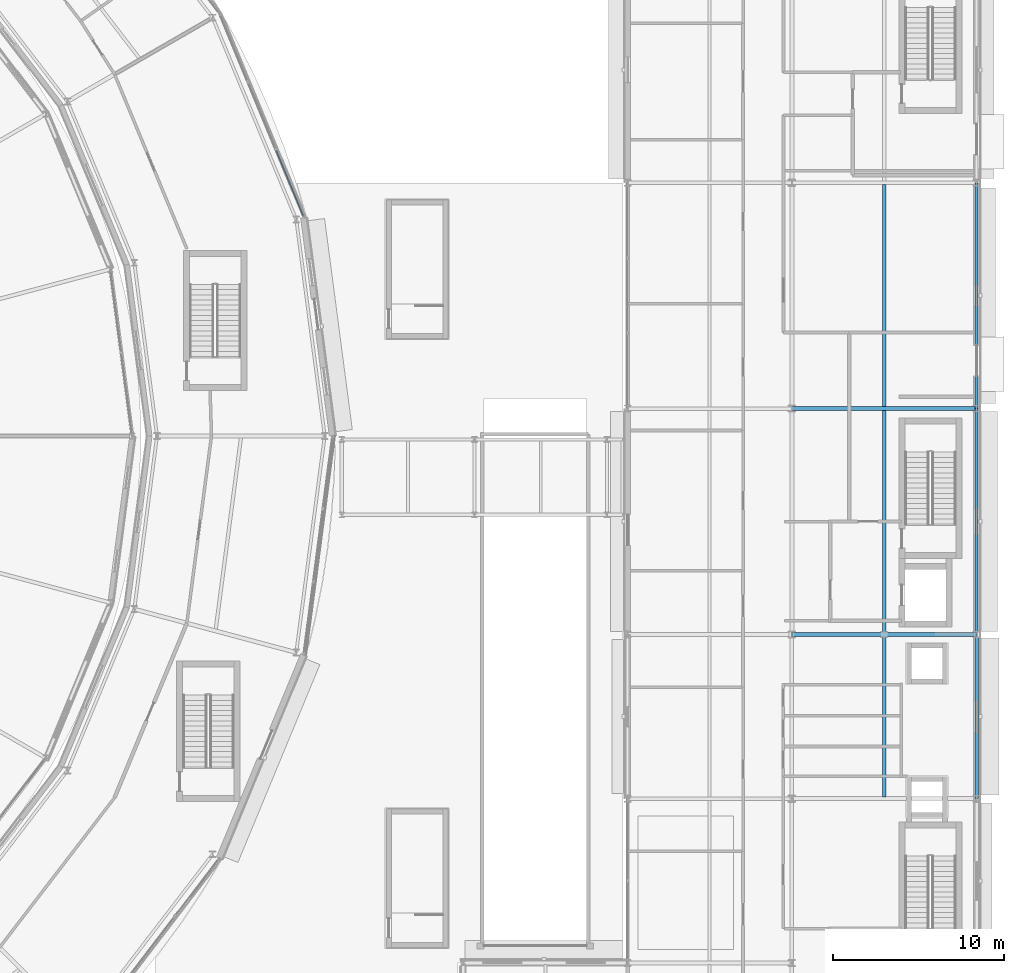
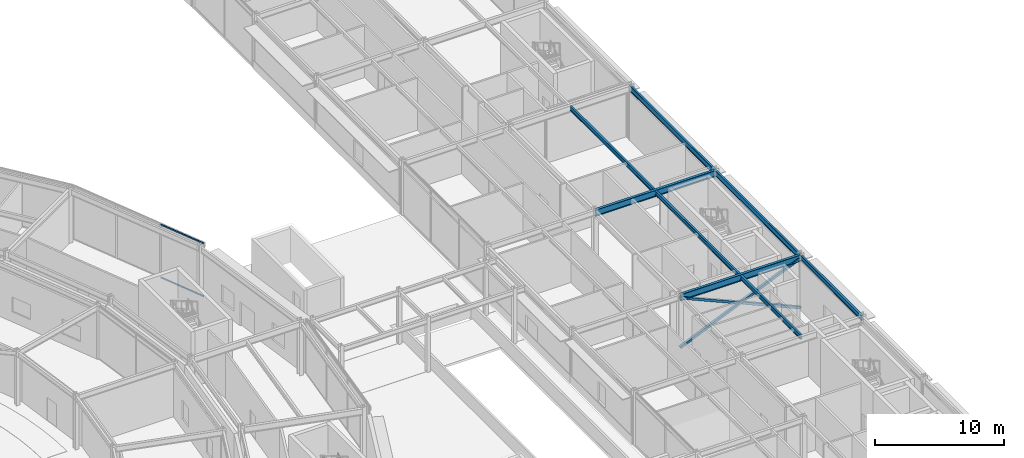
# One storey, part 103 of 168: 8 beams, 5 members, 1 element without a shape of its own.
"""IFC4 building model written with IfcOpenShell, lengths in metres."""

import ifcopenshell
import ifcopenshell.guid

model = None  # the IFC model being written
_history = None  # IfcOwnerHistory: only IFC2X3 demands one
_inside = {}  # id of a spatial element -> (the spatial element, [elements in it])
_under = {}  # id of a project, library or spatial element -> (it, [spatial elements below it])
_declared = {}  # id of a project -> (the project, [libraries it declares])
_typed = {}  # id of a type object -> (the type object, [elements of that type])
_made_of = {}  # id of a material, layer set ... -> (it, [elements and type objects made of it])


def new_model(schema):
    """Start an empty IFC model of exactly this schema.

    Asked for "IFC4X3", IfcOpenShell would pick the latest addendum, in which some entities
    have other attributes; the version numbers below select the first issue.
    IFC2X3 requires an IfcOwnerHistory on every rooted entity: one is made here for all.
    """
    global model, _history
    if schema == "IFC4X3":
        model = ifcopenshell.file(schema_version=(4, 3, 0, 0))
    else:
        model = ifcopenshell.file(schema=schema)
    _inside.clear()
    _under.clear()
    _declared.clear()
    _typed.clear()
    _made_of.clear()
    _history = None
    if model.schema == "IFC2X3":
        org = make("IfcOrganization", Name="unknown")
        user = make(
            "IfcPersonAndOrganization",
            ThePerson=make("IfcPerson", FamilyName="unknown"),
            TheOrganization=org,
        )
        app = make(
            "IfcApplication",
            ApplicationDeveloper=org,
            Version="unknown",
            ApplicationFullName="unknown",
            ApplicationIdentifier="unknown",
        )
        _history = make(
            "IfcOwnerHistory",
            OwningUser=user,
            OwningApplication=app,
            ChangeAction="ADDED",
            CreationDate=0,
        )
    return model


def make(cls, **values):
    """One entity of the class cls with the attributes given. An attribute that is None is left unset."""
    return model.create_entity(
        cls, **{name: value for name, value in values.items() if value is not None}
    )


def rooted(cls, **values):
    """An entity with a GlobalId (a new one), such as an element, a storey or a relation."""
    return make(cls, GlobalId=ifcopenshell.guid.new(), OwnerHistory=_history, **values)


def si_unit(unit_type, name, prefix=None):
    """IfcSIUnit, for example si_unit("LENGTHUNIT", "METRE", prefix="MILLI")."""
    return make("IfcSIUnit", UnitType=unit_type, Prefix=prefix, Name=name)


def assignment(units):
    """IfcUnitAssignment: the units of a project."""
    return None if units is None else make("IfcUnitAssignment", Units=units)


def point(xyz):
    """IfcCartesianPoint."""
    return None if xyz is None else make("IfcCartesianPoint", Coordinates=xyz)


def direction(xyz):
    """IfcDirection."""
    return None if xyz is None else make("IfcDirection", DirectionRatios=xyz)


def frame(location, z_axis=None, x_axis=None):
    """IfcAxis2Placement3D, a coordinate frame: its origin and axes. An axis left out is left unset."""
    return make(
        "IfcAxis2Placement3D",
        Location=point(location),
        Axis=direction(z_axis),
        RefDirection=direction(x_axis),
    )


def frame_2d(location, x_axis=None):
    """IfcAxis2Placement2D, a coordinate frame in the plane: its origin and x axis."""
    return make(
        "IfcAxis2Placement2D", Location=point(location), RefDirection=direction(x_axis)
    )


def origin():
    """The frame at (0, 0, 0) with its axes left unset."""
    return frame((0.0, 0.0, 0.0))


def origin_2d():
    """The frame at (0, 0) in the plane with its x axis left unset."""
    return frame_2d((0.0, 0.0))


def place(relative_to, where):
    """IfcLocalPlacement: puts the frame where relative to a parent placement (None: the world)."""
    return make(
        "IfcLocalPlacement", PlacementRelTo=relative_to, RelativePlacement=where
    )


def context(
    kind, dimensions, precision=None, world=None, true_north=None, identifier=None
):
    """IfcGeometricRepresentationContext, for example the 3D "Model" context."""
    return make(
        "IfcGeometricRepresentationContext",
        ContextIdentifier=identifier,
        ContextType=kind,
        CoordinateSpaceDimension=dimensions,
        Precision=precision,
        WorldCoordinateSystem=world,
        TrueNorth=true_north,
    )


def subcontext(parent, identifier, kind, view, scale=None):
    """IfcGeometricRepresentationSubContext, for example "Body" below "Model"."""
    return make(
        "IfcGeometricRepresentationSubContext",
        ContextIdentifier=identifier,
        ContextType=kind,
        ParentContext=parent,
        TargetScale=scale,
        TargetView=view,
    )


def project(units=None, contexts=None):
    """IfcProject with its units and contexts."""
    return rooted(
        "IfcProject",
        Name="project",
        RepresentationContexts=contexts,
        UnitsInContext=assignment(units),
    )


def spatial(cls, under=None, at=None, **own):
    """A site, building, storey or space (cls), placed at a placement, below another one or the project."""
    s = rooted(cls, ObjectPlacement=at, **own)
    if under is not None:
        _under.setdefault(under.id(), (under, []))[1].append(s)
    return s


def profile(cls, at=None, kind="AREA", **sizes):
    """A parametric profile (cls). Its sizes go by their IFC names, for example OverallWidth=200.0."""
    return make(cls, ProfileType=kind, Position=at, **sizes)


def hollow_rectangle(**sizes):
    """IfcRectangleHollowProfileDef."""
    return profile("IfcRectangleHollowProfileDef", **sizes)


def i_section(**sizes):
    """IfcIShapeProfileDef."""
    return profile("IfcIShapeProfileDef", **sizes)


def extrude(swept, where, along, depth):
    """IfcExtrudedAreaSolid: the profile swept, set in the frame where, extruded along a direction by depth."""
    return make(
        "IfcExtrudedAreaSolid",
        SweptArea=swept,
        Position=where,
        ExtrudedDirection=direction(along),
        Depth=depth,
    )


def shape(context_of_items, identifier, shape_type, items):
    """IfcShapeRepresentation: the items that make up one representation, for example the "Body"."""
    return make(
        "IfcShapeRepresentation",
        ContextOfItems=context_of_items,
        RepresentationIdentifier=identifier,
        RepresentationType=shape_type,
        Items=items,
    )


def material(Name=None, Category=None):
    """IfcMaterial."""
    return make("IfcMaterial", Name=Name, Category=Category)


def material_profile(
    of_material, cross_section, Name=None, Category=None, Priority=None
):
    """IfcMaterialProfile: a cross section and its material."""
    return make(
        "IfcMaterialProfile",
        Name=Name,
        Material=of_material,
        Profile=cross_section,
        Priority=Priority,
        Category=Category,
    )


def profile_set(profiles, Name=None, composite=None):
    """IfcMaterialProfileSet."""
    return make(
        "IfcMaterialProfileSet",
        Name=Name,
        MaterialProfiles=profiles,
        CompositeProfile=composite,
    )


def made_of(thing, what):
    """Note that an element or type object is made of a material, layer set ...; save() writes the relation."""
    if what is not None:
        _made_of.setdefault(what.id(), (what, []))[1].append(thing)
    return thing


def type_object(cls, material=None, **own):
    """A type object (cls), such as IfcWallType, which elements share."""
    return made_of(rooted(cls, **own), material)


def element(
    cls,
    number,
    at=None,
    inside=None,
    cuts=None,
    type_object=None,
    material=None,
    context=None,
    identifier="Body",
    shape_type=None,
    held_by="IfcProductDefinitionShape",
    body=None,
    shapes=None,
    **own,
):
    """One element of the class cls, such as IfcWall. Its Tag is "e" and its number.

    at: its placement. inside: the storey or other place that contains it. cuts: it is an
    opening in that element (IfcRelVoidsElement). A single representation is given by context,
    identifier, shape_type and body (its items); several are given by shapes. held_by: the class
    of the entity that holds the representations. save() writes the other relations.
    """
    e = rooted(cls, Tag="e%d" % number, ObjectPlacement=at, **own)
    if body is not None:
        shapes = [shape(context, identifier, shape_type, body)]
    if shapes is not None:
        e.Representation = make(held_by, Representations=shapes)
    if inside is not None:
        _inside.setdefault(inside.id(), (inside, []))[1].append(e)
    if cuts is not None:
        rooted(
            "IfcRelVoidsElement", RelatingBuildingElement=cuts, RelatedOpeningElement=e
        )
    if type_object is not None:
        _typed.setdefault(type_object.id(), (type_object, []))[1].append(e)
    return made_of(e, material)


def aggregate(whole, parts):
    """IfcRelAggregates: a whole, such as a stair, and the parts it consists of."""
    return rooted("IfcRelAggregates", RelatingObject=whole, RelatedObjects=parts)


def save(model, path):
    """Write the relations noted so far, then the file.

    IfcRelAggregates (storeys below a building ...), IfcRelContainedInSpatialStructure (elements
    in a storey), IfcRelDefinesByType, IfcRelAssociatesMaterial and IfcRelDeclares: one each for
    every whole, place, type object, material and project.
    """
    for whole, parts in _under.values():
        aggregate(whole, parts)
    for where, things in _inside.values():
        rooted(
            "IfcRelContainedInSpatialStructure",
            RelatedElements=things,
            RelatingStructure=where,
        )
    for kind, things in _typed.values():
        rooted("IfcRelDefinesByType", RelatedObjects=things, RelatingType=kind)
    for what, things in _made_of.values():
        rooted("IfcRelAssociatesMaterial", RelatedObjects=things, RelatingMaterial=what)
    for by, libraries in _declared.values():
        rooted("IfcRelDeclares", RelatingContext=by, RelatedDefinitions=libraries)
    model.write(path)


model = new_model("IFC4")

# Units and contexts
model_context = context("Model", 3, precision=1e-05, world=origin(), true_north=direction((0.0, 1.0)))
body_context = subcontext(model_context, "Body", "Model", "MODEL_VIEW")
ifc_project = project(units=[si_unit("LENGTHUNIT", "METRE"), si_unit("AREAUNIT", "SQUARE_METRE"), si_unit("VOLUMEUNIT", "CUBIC_METRE"), si_unit("PLANEANGLEUNIT", "RADIAN"), si_unit("MASSUNIT", "GRAM", prefix="KILO")], contexts=[model_context])

# Site, building, storey
site_placement = place(None, origin())
site = spatial("IfcSite", under=ifc_project, at=site_placement, CompositionType="ELEMENT")
building_placement = place(site_placement, origin())
building = spatial("IfcBuilding", under=site, at=building_placement, Name="Almandine Court Research Institute", CompositionType="ELEMENT")
storey_placement = place(building_placement, origin())
storey = spatial("IfcBuildingStorey", under=building, at=storey_placement, Name="L00", CompositionType="ELEMENT", Elevation=0.0)

# Beams
ifc_material_1 = material(Name="Steel ASTM A992 Grade 50", Category="steel")
ifc_material_profile_1 = material_profile(ifc_material_1, i_section(OverallWidth=0.178955078125, OverallDepth=0.409912109375, WebThickness=0.009033203125, FlangeThickness=0.013916015625, at=origin_2d()), Name="W410x67")
ifc_profile_set_1 = profile_set([ifc_material_profile_1], Name="Steel ASTM A992 Grade 50")
beam_type_1 = type_object("IfcBeamType", Name="Beam-B-02", PredefinedType="JOIST", material=ifc_profile_set_1)
beam_1_placement = place(storey_placement, frame((168.60009765625, 34.9130859375, 4.864990234375), z_axis=(0.0, 1.0, 0.0), x_axis=(-1.0, 0.0, 0.0)))
element("IfcBeam", 1, at=beam_1_placement, inside=storey, type_object=beam_type_1, Name="L00 V4 Composite Secondary Beam", PredefinedType="JOIST", context=body_context, shape_type="SweptSolid", body=[
    extrude(i_section(OverallWidth=0.178955078125, OverallDepth=0.409912109375, WebThickness=0.009033203125, FlangeThickness=0.013916015625, at=origin_2d()), origin(), (0.0, 0.0, 1.0), 9.3740234375),
])
for number, where, z_axis, x_axis, name in (
    (2, (168.60009765625, 44.512939453125, 4.864990234375), (0.0, 1.0, 0.0), (-1.0, 0.0, 0.0), "L00 V4 Composite Secondary Beam"),
    (3, (168.60009765625, 57.712890625, 4.864990234375), (0.0, 1.0, 0.0), (-1.0, 0.0, 0.0), "L00 V4 Composite Secondary Beam"),
):
    element("IfcBeam", number, at=place(storey_placement, frame(where, z_axis=z_axis, x_axis=x_axis)), inside=storey, type_object=beam_type_1, Name=name, PredefinedType="JOIST", context=body_context, shape_type="SweptSolid", body=[
        extrude(i_section(OverallWidth=0.178955078125, OverallDepth=0.409912109375, WebThickness=0.009033203125, FlangeThickness=0.013916015625, at=origin_2d()), origin(), (0.0, 0.0, 1.0), 12.97412109375),
    ])
ifc_material_profile_2 = material_profile(ifc_material_1, i_section(OverallWidth=0.22998046875, OverallDepth=0.616943359375, WebThickness=0.012939453125, FlangeThickness=0.02197265625, at=origin_2d()), Name="W610x140")
ifc_profile_set_2 = profile_set([ifc_material_profile_2], Name="Steel ASTM A992 Grade 50")
beam_type_2 = type_object("IfcBeamType", Name="Beam-G-02", PredefinedType="BEAM", material=ifc_profile_set_2)
for number, where, z_axis, x_axis, name in (
    (4, (163.199951171875, 44.39990234375, 4.760986328125), (1.0, 0.0, 0.0), (0.0, 1.0, 0.0), "L00 V4 Primary X Girder"),
    (5, (163.199951171875, 57.60009765625, 4.760986328125), (1.0, 0.0, 0.0), (0.0, 1.0, 0.0), "L00 V4 Primary X Girder"),
):
    element("IfcBeam", number, at=place(storey_placement, frame(where, z_axis=z_axis, x_axis=x_axis)), inside=storey, type_object=beam_type_2, Name=name, PredefinedType="BEAM", context=body_context, shape_type="SweptSolid", body=[
        extrude(i_section(OverallWidth=0.22998046875, OverallDepth=0.616943359375, WebThickness=0.012939453125, FlangeThickness=0.02197265625, at=origin_2d()), origin(), (0.0, 0.0, 1.0), 10.800048828125),
    ])
ifc_material_profile_3 = material_profile(ifc_material_1, i_section(OverallWidth=0.166015625, OverallDepth=0.534912109375, WebThickness=0.010009765625, FlangeThickness=0.01708984375, at=origin_2d()), Name="W530x85")
ifc_profile_set_3 = profile_set([ifc_material_profile_3], Name="Steel ASTM A992 Grade 50")
beam_type_3 = type_object("IfcBeamType", Name="Beam-G-05-E", PredefinedType="SPANDREL", material=ifc_profile_set_3)
beam_2_placement = place(storey_placement, frame((174.0, 44.39990234375, 4.802978515625), z_axis=(0.0, 1.0, 0.0), x_axis=(-1.0, 0.0, 0.0)))
element("IfcBeam", 6, at=beam_2_placement, inside=storey, type_object=beam_type_3, Name="L00 V4 Primary Y Girder", PredefinedType="SPANDREL", context=body_context, shape_type="SweptSolid", body=[
    extrude(i_section(OverallWidth=0.166015625, OverallDepth=0.534912109375, WebThickness=0.010009765625, FlangeThickness=0.01708984375, at=origin_2d()), origin(), (0.0, 0.0, 1.0), 13.2001953125),
])
beam_3_placement = place(storey_placement, frame((174.0, 57.60009765625, 4.802978515625), z_axis=(0.0, 1.0, 0.0), x_axis=(-1.0, 0.0, 0.0)))
element("IfcBeam", 7, at=beam_3_placement, inside=storey, type_object=beam_type_3, Name="L00 V4 Primary Y Girder", PredefinedType="SPANDREL", context=body_context, shape_type="SweptSolid", body=[
    extrude(i_section(OverallWidth=0.166015625, OverallDepth=0.534912109375, WebThickness=0.010009765625, FlangeThickness=0.01708984375, at=origin_2d()), origin(), (0.0, 0.0, 1.0), 13.199951171875),
])
ifc_material_profile_4 = material_profile(ifc_material_1, i_section(OverallWidth=0.193115234375, OverallDepth=0.466064453125, WebThickness=0.010986328125, FlangeThickness=0.01904296875, at=origin_2d()), Name="W460x97")
ifc_profile_set_4 = profile_set([ifc_material_profile_4], Name="Steel ASTM A992 Grade 50")
beam_type_4 = type_object("IfcBeamType", Name="Beam-G-06-E", PredefinedType="SPANDREL", material=ifc_profile_set_4)
beam_4_placement = place(storey_placement, frame((174.0, 34.800048828125, 4.8369140625), z_axis=(0.0, 1.0, 0.0), x_axis=(-1.0, 0.0, 0.0)))
element("IfcBeam", 8, at=beam_4_placement, inside=storey, type_object=beam_type_4, Name="L00 V4 Primary Y Girder", PredefinedType="SPANDREL", context=body_context, shape_type="SweptSolid", body=[
    extrude(i_section(OverallWidth=0.193115234375, OverallDepth=0.466064453125, WebThickness=0.010986328125, FlangeThickness=0.01904296875, at=origin_2d()), origin(), (0.0, 0.0, 1.0), 9.599853515625),
])

# Curtain wall, members
ifc_material_2 = material(Name="Unitised Curtain Wall Framing and Solar Glazing", Category="glass")
curtain_wall_type = type_object("IfcCurtainWallType", Name="CW-CWJ-17", PredefinedType="USERDEFINED", material=ifc_material_2)
curtain_wall_placement = place(storey_placement, origin())
curtain_wall = element("IfcCurtainWall", 9, at=curtain_wall_placement, inside=storey, type_object=curtain_wall_type, Name="L00 Stacked-Ring Drum Outer Solar Jali Screen 01", ObjectType="SOLAR JALI SCREEN", PredefinedType="USERDEFINED")
ifc_material_3 = material(Name="Anodised Aluminium AW-6063-T6", Category="aluminium")
ifc_material_profile_5 = material_profile(ifc_material_3, hollow_rectangle(XDim=0.06494140625, YDim=0.1298828125, WallThickness=0.00390625, at=origin_2d()), Name="ALU RHS 65x130x4")
ifc_profile_set_5 = profile_set([ifc_material_profile_5], Name="Anodised Aluminium AW-6063-T6")
member_type_1 = type_object("IfcMemberType", Name="CWTrn-65x130", PredefinedType="NOTDEFINED", material=ifc_profile_set_5)
member_1_placement = place(storey_placement, frame((133.046875, 72.715087890625, 0.032470703125), z_axis=(0.382631051398, -0.923901227679, 0.0), x_axis=(0.923901227679, 0.382631051398, 0.0)))
member_1 = element("IfcMember", 10, at=member_1_placement, type_object=member_type_1, Name="CWJ-17 transom 3.1", ObjectType="TRANSOM", PredefinedType="USERDEFINED", context=body_context, shape_type="SweptSolid", body=[
    extrude(hollow_rectangle(XDim=0.06494140625, YDim=0.1298828125, WallThickness=0.00390625, at=origin_2d()), origin(), (0.0, 0.0, 1.0), 4.1953125),
])
member_2_placement = place(storey_placement, frame((133.046875, 72.715087890625, 5.03759765625), z_axis=(0.382631051398, -0.923901227679, 0.0), x_axis=(0.923901227679, 0.382631051398, 0.0)))
member_2 = element("IfcMember", 11, at=member_2_placement, type_object=member_type_1, Name="CWJ-17 transom 3.2", ObjectType="TRANSOM", PredefinedType="USERDEFINED", context=body_context, shape_type="SweptSolid", body=[
    extrude(hollow_rectangle(XDim=0.06494140625, YDim=0.1298828125, WallThickness=0.00390625, at=origin_2d()), origin(), (0.0, 0.0, 1.0), 4.1953125),
])
aggregate(curtain_wall, [member_1, member_2])

# Members
ifc_material_4 = material(Name="Steel ASTM A500 Grade C", Category="steel")
ifc_material_profile_6 = material_profile(ifc_material_4, hollow_rectangle(XDim=0.219970703125, YDim=0.219970703125, WallThickness=0.010009765625, at=origin_2d()), Name="HSS 220x220x10")
ifc_profile_set_6 = profile_set([ifc_material_profile_6], Name="Steel ASTM A500 Grade C")
member_type_2 = type_object("IfcMemberType", Name="Mem-BF-BR1", PredefinedType="BRACE", material=ifc_profile_set_6)
member_3_placement = place(storey_placement, frame((163.199951171875, 44.39990234375, 0.02001953125), z_axis=(0.91600281518, 0.0, 0.401171836727), x_axis=(0.0, 1.0, 0.0)))
element("IfcMember", 12, at=member_3_placement, inside=storey, type_object=member_type_2, Name="L00 Seismic X-Brace Continuous Diagonal V4-BF2", PredefinedType="BRACE", context=body_context, shape_type="SweptSolid", body=[
    extrude(hollow_rectangle(XDim=0.219970703125, YDim=0.219970703125, WallThickness=0.010009765625, at=origin_2d()), origin(), (0.0, 0.0, 1.0), 11.79052734375),
])
for number, where, z_axis, x_axis, name in (
    (13, (174.0, 44.39990234375, 0.02001953125), (-0.916001525412, 0.0, 0.401174781665), (0.0, -1.0, 0.0), "L00 V4-BF2 Split X-Brace Diagonal"),
    (14, (168.43994140625, 44.39990234375, 2.455078125), (-0.916001525412, 0.0, 0.401174781665), (0.0, -1.0, 0.0), "L00 V4-BF2 Split X-Brace Diagonal"),
):
    element("IfcMember", number, at=place(storey_placement, frame(where, z_axis=z_axis, x_axis=x_axis)), inside=storey, type_object=member_type_2, Name=name, PredefinedType="BRACE", context=body_context, shape_type="SweptSolid", body=[
        extrude(hollow_rectangle(XDim=0.219970703125, YDim=0.219970703125, WallThickness=0.010009765625, at=origin_2d()), origin(), (0.0, 0.0, 1.0), 5.720458984375),
    ])

save(model, "model.ifc")
